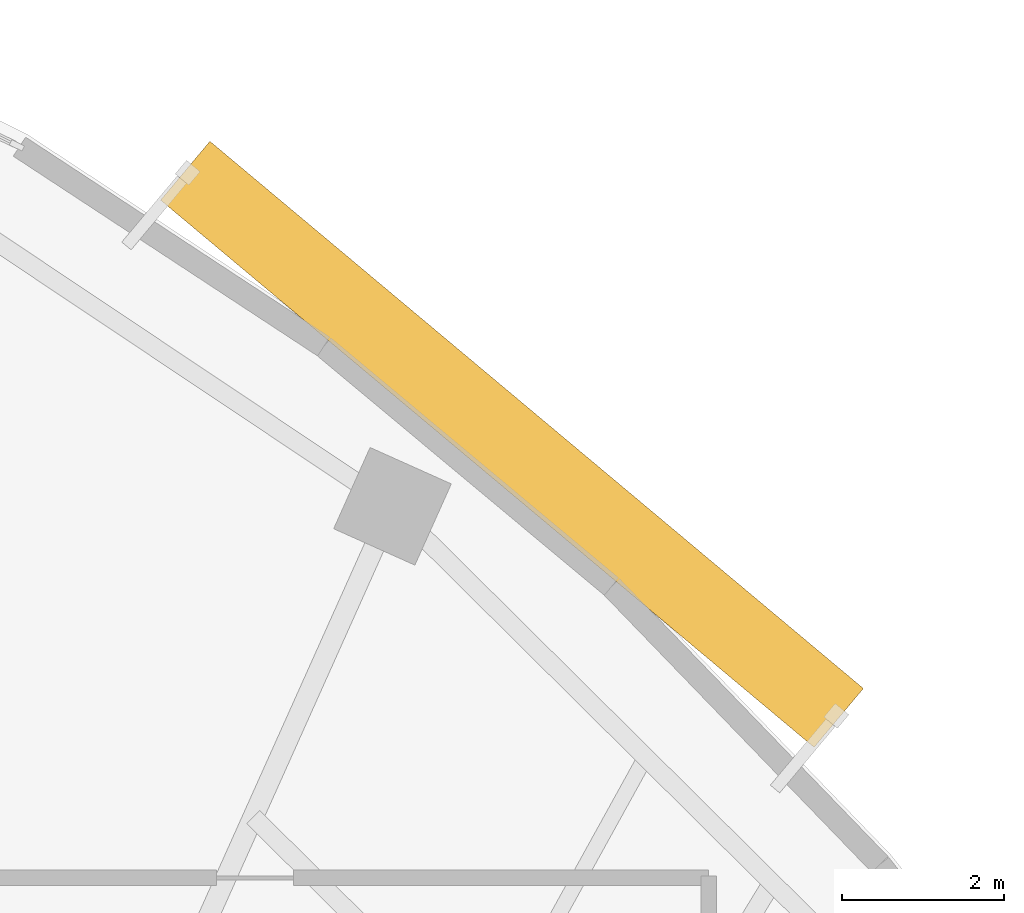
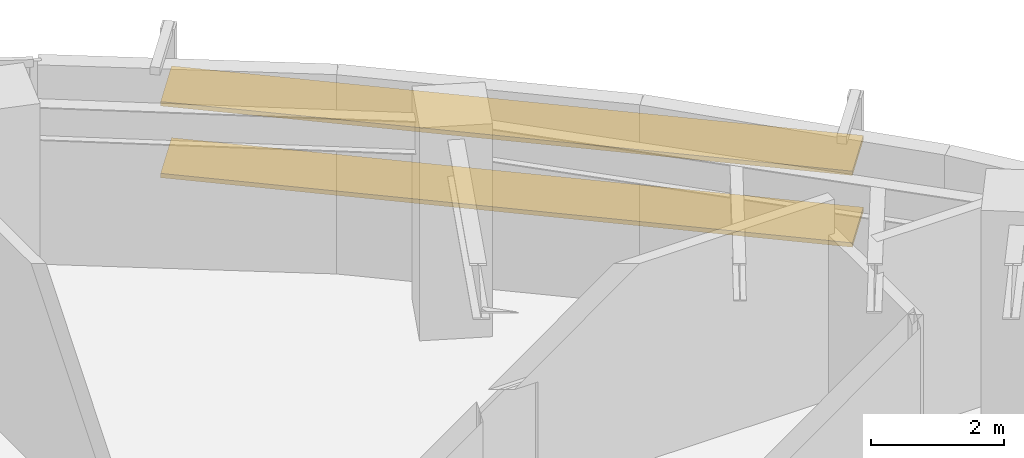
# One storey, part 13 of 13: 2 shading devices.
"""IFC4 building model written with IfcOpenShell, lengths in metres."""

from ifc_helpers import new_model, si_unit, direction, frame, origin, origin_2d, place, context, subcontext, project, spatial, rectangle, extrude, source, transform, mapped, material, material_profile, profile_set, type_object, element, save


model = new_model("IFC4")

# Units and contexts
model_context = context("Model", 3, precision=1e-05, world=origin(), true_north=direction((0.0, 1.0)))
body_context = subcontext(model_context, "Body", "Model", "MODEL_VIEW")
ifc_project = project(units=[si_unit("LENGTHUNIT", "METRE"), si_unit("AREAUNIT", "SQUARE_METRE"), si_unit("VOLUMEUNIT", "CUBIC_METRE"), si_unit("PLANEANGLEUNIT", "RADIAN"), si_unit("MASSUNIT", "GRAM", prefix="KILO")], contexts=[model_context])

# Site, building, storey
site_placement = place(None, origin())
site = spatial("IfcSite", under=ifc_project, at=site_placement, CompositionType="ELEMENT")
building_placement = place(site_placement, origin())
building = spatial("IfcBuilding", under=site, at=building_placement, Name="Breltana Convention Tower", CompositionType="ELEMENT")
storey_placement = place(building_placement, frame((0.0, 0.0, 162.300048828125)))
storey = spatial("IfcBuildingStorey", under=building, at=storey_placement, Name="L39", CompositionType="ELEMENT", Elevation=162.300048828125)

# Shading devices
ifc_material = material(Name="Limestone Warm Buff Honed", Category="masonry")
ifc_material_profile = material_profile(ifc_material, rectangle(XDim=0.949951171875, YDim=0.080078125, at=origin_2d()), Name="STN-LVR-950X80")
ifc_profile_set = profile_set([ifc_material_profile], Name="Limestone Warm Buff Honed")
shading_device_type = type_object("IfcShadingDeviceType", Name="SHD-OUTER-SKIN-LIMESTONE-950", PredefinedType="JALOUSIE", material=ifc_profile_set)
shared_shape = source(origin(), body_context, "Body", "SweptSolid", [
    extrude(rectangle(XDim=0.949951171875, YDim=0.080078125, at=origin_2d()), origin(), (0.0, 0.0, 1.0), 10.538330078125),
])
for number, where, z_axis, x_axis, name in (
    (1, (66.34814453125, 72.782958984375, 1.31396484375), (0.766705694316, -0.641998736996, 0.0), (0.641998736996, 0.766705694316, 0.0), "L39 outer skin warm limestone louvre 2.1"),
    (2, (66.34814453125, 72.782958984375, 2.6279296875), (0.766705694316, -0.641998736996, 0.0), (0.641998736996, 0.766705694316, 0.0), "L39 outer skin warm limestone louvre 2.2"),
):
    element("IfcShadingDevice", number, at=place(storey_placement, frame(where, z_axis=z_axis, x_axis=x_axis)), inside=storey, type_object=shading_device_type, Name=name, PredefinedType="JALOUSIE", context=body_context, shape_type="MappedRepresentation", body=[
        mapped(shared_shape, transform((0.0, 0.0, 0.0), scale=1.0)),
    ])

save(model, "model.ifc")
